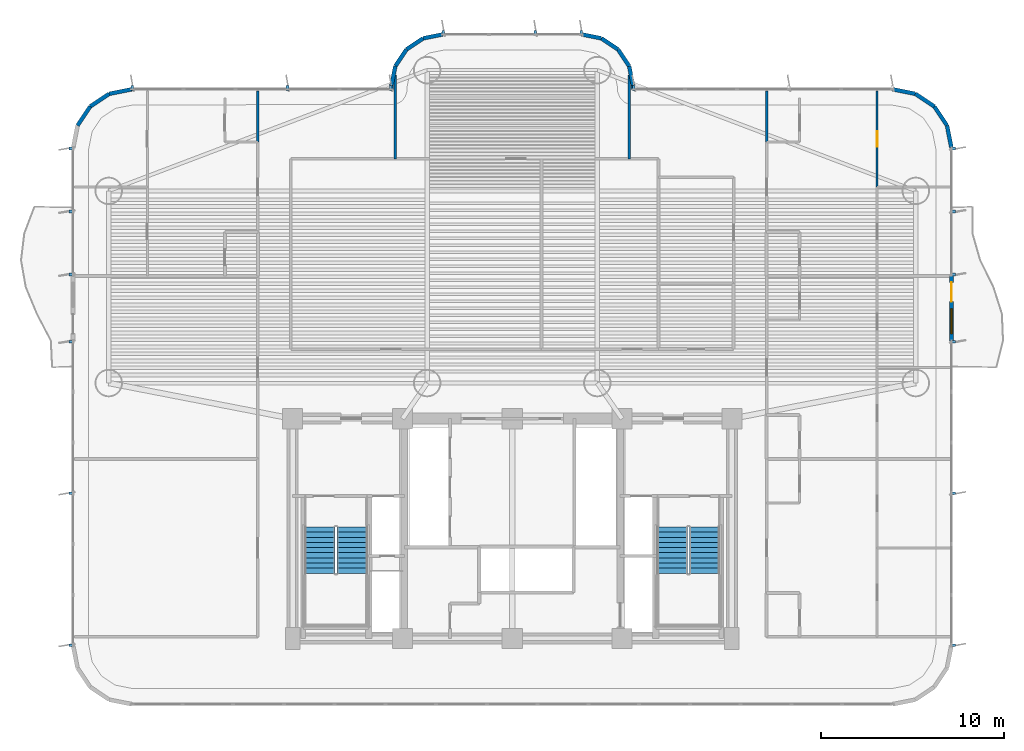
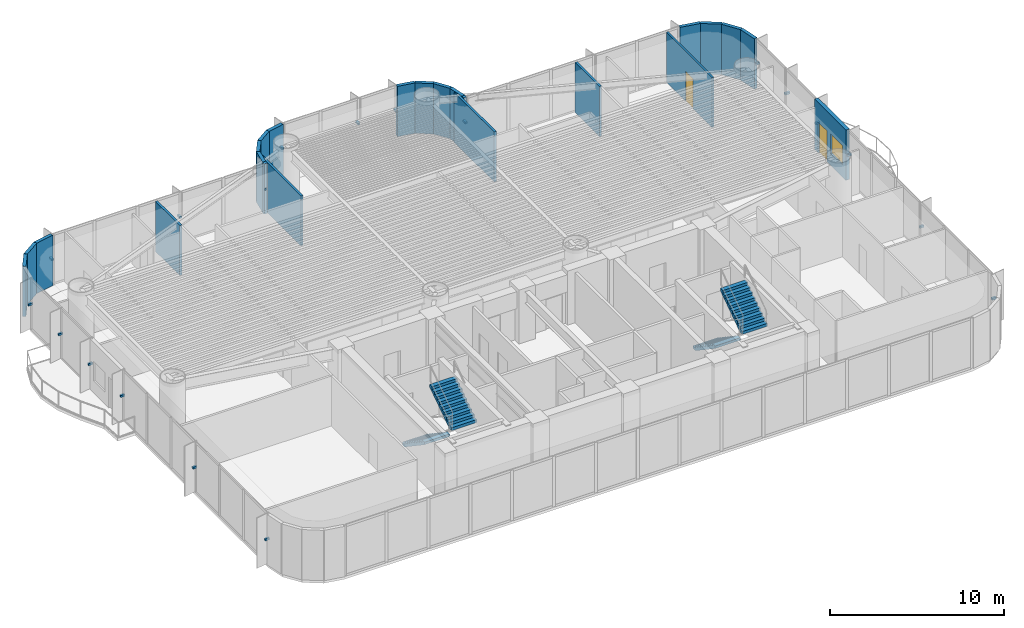
# One storey, part 13 of 18: 23 walls, 19 discrete accessories, 4 stair flights, 2 doors, 1 window, 3 openings, 2 elements without a shape of their own.
"""IFC4 building model written with IfcOpenShell, lengths in metres."""

from ifc_helpers import new_model, si_unit, direction, frame, frame_2d, origin, origin_2d, place, context, subcontext, project, spatial, polyline, rectangle, outline, extrude, source, transform, mapped, material, layer, layer_set, type_object, element, fill, aggregate, save


model = new_model("IFC4")

# Units and contexts
model_context = context("Model", 3, precision=1e-05, world=origin(), true_north=direction((0.0, 1.0)))
body_context = subcontext(model_context, "Body", "Model", "MODEL_VIEW")
ifc_project = project(units=[si_unit("LENGTHUNIT", "METRE"), si_unit("AREAUNIT", "SQUARE_METRE"), si_unit("VOLUMEUNIT", "CUBIC_METRE"), si_unit("PLANEANGLEUNIT", "RADIAN"), si_unit("MASSUNIT", "GRAM", prefix="KILO")], contexts=[model_context])

# Site, building, storey
site_placement = place(None, origin())
site = spatial("IfcSite", under=ifc_project, at=site_placement, CompositionType="ELEMENT")
building_placement = place(site_placement, origin())
building = spatial("IfcBuilding", under=site, at=building_placement, Name="Brelvock Crest Care Tower", CompositionType="ELEMENT")
storey_placement = place(building_placement, frame((0.0, 0.0, 72.360107421875)))
storey = spatial("IfcBuildingStorey", under=building, at=storey_placement, Name="L18", CompositionType="ELEMENT", Elevation=72.360107421875)

# Wall, openings, door, window
ifc_material_1 = material(Name="Precast concrete N40 (40 MPa)", Category="concrete")
ifc_layer_1 = layer(ifc_material_1, 0.239990234375, Name="WL-EX1")
ifc_layer_set_1 = layer_set([ifc_layer_1], Name="Precast concrete N40 (40 MPa)")
wall_type_1 = type_object("IfcWallType", Name="WL-EX1", PredefinedType="SOLIDWALL", material=ifc_layer_set_1)
wall_1_placement = place(storey_placement, frame((60.0, 25.85009765625, 0.0), z_axis=(0.0, 0.0, 1.0), x_axis=(0.0, -1.0, 0.0)))
wall_1 = element("IfcWall", 1, at=wall_1_placement, inside=storey, type_object=wall_type_1, Name="L18 Exterior Spandrel Wall WL-BAL-L18-E", PredefinedType="SOLIDWALL", context=body_context, shape_type="SweptSolid", body=[
    extrude(rectangle(XDim=3.60009765625, YDim=0.239990234375, at=frame_2d((1.800048828125, 0.0))), origin(), (0.0, 0.0, 1.0), 3.52978515625),
])
opening_1_placement = place(wall_1_placement, frame((0.39990234375, 0.0, 0.0)))
opening_1 = element("IfcOpeningElement", 2, at=opening_1_placement, cuts=wall_1, Name="Opening BD-1", PredefinedType="OPENING", context=body_context, shape_type="SweptSolid", body=[
    extrude(rectangle(XDim=1.050048828125, YDim=2.14990234375, at=origin_2d()), frame((0.52490234375, 0.1298828125, 1.074951171875), z_axis=(0.0, -1.0, 0.0), x_axis=(1.0, 0.0, 0.0)), (0.0, 0.0, 1.0), 0.260009765625),
])
opening_2_placement = place(wall_1_placement, frame((1.85009765625, 0.0, 0.85009765625)))
opening_2 = element("IfcOpeningElement", 3, at=opening_2_placement, cuts=wall_1, Name="Opening W-01", PredefinedType="OPENING", context=body_context, shape_type="SweptSolid", body=[
    extrude(rectangle(XDim=1.35009765625, YDim=1.35009765625, at=origin_2d()), frame((0.675048828125, 0.1298828125, 0.675048828125), z_axis=(0.0, -1.0, 0.0), x_axis=(1.0, 0.0, 0.0)), (0.0, 0.0, 1.0), 0.260009765625),
])
ifc_material_2 = material(Name="Dark Glass Double Glazed Low-E", Category="glass")
door_type_1 = type_object("IfcDoorType", Name="DR-BAL1", OperationType="NOTDEFINED", PredefinedType="DOOR", material=ifc_material_2)
shared_shape_1 = source(origin(), body_context, "Body", "SweptSolid", [
    extrude(rectangle(XDim=1.050048828125, YDim=2.14990234375, at=origin_2d()), frame((0.52490234375, 0.02490234375, 1.074951171875), z_axis=(0.0, -1.0, 0.0), x_axis=(1.0, 0.0, 0.0)), (0.0, 0.0, 1.0), 0.050048828125),
])
door_1_placement = place(opening_1_placement, origin())
door_1 = element("IfcDoor", 4, at=door_1_placement, inside=storey, type_object=door_type_1, Name="L18 E Wave Balcony Glazed Door", OperationType="SINGLE_SWING_RIGHT", OverallHeight=2.14990234375, OverallWidth=1.050048828125, PredefinedType="DOOR", context=body_context, shape_type="MappedRepresentation", body=[
    mapped(shared_shape_1, transform((0.0, 0.0, 0.0), x_axis=(1.0, 0.0, 0.0), y_axis=(0.0, 1.0, 0.0), z_axis=(0.0, 0.0, 1.0), scale=1.0)),
])
fill(opening_1, door_1)
window_type = type_object("IfcWindowType", Name="WN-EX1", PartitioningType="SINGLE_PANEL", PredefinedType="WINDOW", material=ifc_material_2)
shared_shape_2 = source(origin(), body_context, "Body", "SweptSolid", [
    extrude(rectangle(XDim=1.35009765625, YDim=1.35009765625, at=origin_2d()), frame((0.675048828125, 0.030029296875, 0.675048828125), z_axis=(0.0, -1.0, 0.0), x_axis=(1.0, 0.0, 0.0)), (0.0, 0.0, 1.0), 0.06005859375),
])
window_placement = place(opening_2_placement, origin())
window = element("IfcWindow", 5, at=window_placement, inside=storey, type_object=window_type, Name="L18 E Suite Casement Window", OverallHeight=1.35009765625, OverallWidth=1.35009765625, PartitioningType="SINGLE_PANEL", PredefinedType="WINDOW", context=body_context, shape_type="MappedRepresentation", body=[
    mapped(shared_shape_2, transform((0.0, 0.0, 0.0), x_axis=(1.0, 0.0, 0.0), y_axis=(0.0, 1.0, 0.0), z_axis=(0.0, 0.0, 1.0), scale=1.0)),
])
fill(opening_2, window)

# Walls
ifc_layer_2 = layer(ifc_material_1, 0.215087890625, Name="WL-EX2")
ifc_layer_set_2 = layer_set([ifc_layer_2], Name="Precast concrete N40 (40 MPa)")
wall_type_2 = type_object("IfcWallType", Name="WL-EX2", PredefinedType="SOLIDWALL", material=ifc_layer_set_2)
for number, where, z_axis, x_axis, name in (
    (6, (58.024658203125, 35.75634765625, 0.0), (0.0, 0.0, 1.0), (0.831478245117, -0.555557312883, 0.0), "L18 Rounded Corner Wall 00"),
    (7, (59.062744140625, 35.062744140625, 0.0), (0.0, 0.0, 1.0), (0.555557312883, -0.831478245117, 0.0), "L18 Rounded Corner Wall 01"),
    (8, (59.75634765625, 34.024658203125, 0.0), (0.0, 0.0, 1.0), (0.195138390419, -0.980775717779, 0.0), "L18 Rounded Corner Wall 02"),
    (9, (12.24365234375, 34.024658203125, 0.0), (0.0, 0.0, 1.0), (0.555557312883, 0.831478245117, 0.0), "L18 Rounded Corner Wall 15"),
    (10, (12.937255859375, 35.062744140625, 0.0), (0.0, 0.0, 1.0), (0.831478245117, 0.555557312883, 0.0), "L18 Rounded Corner Wall 16"),
    (11, (13.975341796875, 35.75634765625, 0.0), (0.0, 0.0, 1.0), (0.980775717779, 0.195138390419, 0.0), "L18 Rounded Corner Wall 17"),
):
    element("IfcWall", number, at=place(storey_placement, frame(where, z_axis=z_axis, x_axis=x_axis)), inside=storey, type_object=wall_type_2, Name=name, PredefinedType="SOLIDWALL", context=body_context, shape_type="SweptSolid", body=[
        extrude(rectangle(XDim=1.24853515625, YDim=0.215087890625, at=frame_2d((0.624267578125, 0.0))), origin(), (0.0, 0.0, 1.0), 3.52978515625),
    ])
wall_2_placement = place(storey_placement, frame((29.39990234375, 36.0, 0.0), z_axis=(0.0, 0.0, 1.0), x_axis=(0.0, 1.0, 0.0)))
element("IfcWall", 12, at=wall_2_placement, inside=storey, type_object=wall_type_2, Name="L18 Rounded Corner Wall 19", PredefinedType="SOLIDWALL", context=body_context, shape_type="SweptSolid", body=[
    extrude(rectangle(XDim=0.199951171875, YDim=0.215087890625, at=frame_2d((0.10009765625, 0.0))), origin(), (0.0, 0.0, 1.0), 3.52978515625),
])
wall_3_placement = place(storey_placement, frame((29.39990234375, 36.199951171875, 0.0), z_axis=(0.0, 0.0, 1.0), x_axis=(0.195084651288, 0.980786408364, 0.0)))
element("IfcWall", 13, at=wall_3_placement, inside=storey, type_object=wall_type_2, Name="L18 Rounded Corner Wall 20", PredefinedType="SOLIDWALL", context=body_context, shape_type="SweptSolid", body=[
    extrude(rectangle(XDim=1.092529296875, YDim=0.215087890625, at=frame_2d((0.54638671875, 0.0))), origin(), (0.0, 0.0, 1.0), 3.52978515625),
])
wall_4_placement = place(storey_placement, frame((29.613037109375, 37.271484375, 0.0), z_axis=(0.0, 0.0, 1.0), x_axis=(0.555679482341, 0.831396603857, 0.0)))
element("IfcWall", 14, at=wall_4_placement, inside=storey, type_object=wall_type_2, Name="L18 Rounded Corner Wall 21", PredefinedType="SOLIDWALL", context=body_context, shape_type="SweptSolid", body=[
    extrude(rectangle(XDim=1.0927734375, YDim=0.215087890625, at=frame_2d((0.54638671875, 0.0))), origin(), (0.0, 0.0, 1.0), 3.52978515625),
])
wall_5_placement = place(storey_placement, frame((30.22021484375, 38.179931640625, 0.0), z_axis=(0.0, 0.0, 1.0), x_axis=(0.831430845238, 0.555628247651, 0.0)))
element("IfcWall", 15, at=wall_5_placement, inside=storey, type_object=wall_type_2, Name="L18 Rounded Corner Wall 22", PredefinedType="SOLIDWALL", context=body_context, shape_type="SweptSolid", body=[
    extrude(rectangle(XDim=1.09228515625, YDim=0.215087890625, at=frame_2d((0.546142578125, 0.0))), origin(), (0.0, 0.0, 1.0), 3.52978515625),
])
for number, where, z_axis, x_axis, name in (
    (16, (31.12841796875, 38.786865234375, 0.0), (0.0, 0.0, 1.0), (0.980786408364, 0.195084651288, 0.0), "L18 Rounded Corner Wall 23"),
    (17, (39.800048828125, 39.0, 0.0), (0.0, 0.0, 1.0), (0.980786408364, -0.195084651288, 0.0), "L18 Rounded Corner Wall 25"),
):
    element("IfcWall", number, at=place(storey_placement, frame(where, z_axis=z_axis, x_axis=x_axis)), inside=storey, type_object=wall_type_2, Name=name, PredefinedType="SOLIDWALL", context=body_context, shape_type="SweptSolid", body=[
        extrude(rectangle(XDim=1.092529296875, YDim=0.215087890625, at=frame_2d((0.54638671875, 0.0))), origin(), (0.0, 0.0, 1.0), 3.52978515625),
    ])
wall_6_placement = place(storey_placement, frame((40.87158203125, 38.786865234375, 0.0), z_axis=(0.0, 0.0, 1.0), x_axis=(0.831430845238, -0.555628247651, 0.0)))
element("IfcWall", 18, at=wall_6_placement, inside=storey, type_object=wall_type_2, Name="L18 Rounded Corner Wall 26", PredefinedType="SOLIDWALL", context=body_context, shape_type="SweptSolid", body=[
    extrude(rectangle(XDim=1.09228515625, YDim=0.215087890625, at=frame_2d((0.546142578125, 0.0))), origin(), (0.0, 0.0, 1.0), 3.52978515625),
])
wall_7_placement = place(storey_placement, frame((41.77978515625, 38.179931640625, 0.0), z_axis=(0.0, 0.0, 1.0), x_axis=(0.555679482341, -0.831396603857, 0.0)))
element("IfcWall", 19, at=wall_7_placement, inside=storey, type_object=wall_type_2, Name="L18 Rounded Corner Wall 27", PredefinedType="SOLIDWALL", context=body_context, shape_type="SweptSolid", body=[
    extrude(rectangle(XDim=1.0927734375, YDim=0.215087890625, at=frame_2d((0.54638671875, 0.0))), origin(), (0.0, 0.0, 1.0), 3.52978515625),
])
wall_8_placement = place(storey_placement, frame((42.386962890625, 37.271484375, 0.0), z_axis=(0.0, 0.0, 1.0), x_axis=(0.195084651288, -0.980786408364, 0.0)))
element("IfcWall", 20, at=wall_8_placement, inside=storey, type_object=wall_type_2, Name="L18 Rounded Corner Wall 28", PredefinedType="SOLIDWALL", context=body_context, shape_type="SweptSolid", body=[
    extrude(rectangle(XDim=1.092529296875, YDim=0.215087890625, at=frame_2d((0.54638671875, 0.0))), origin(), (0.0, 0.0, 1.0), 3.52978515625),
])
wall_9_placement = place(storey_placement, frame((42.60009765625, 36.199951171875, 0.0), z_axis=(0.0, 0.0, 1.0), x_axis=(0.0, -1.0, 0.0)))
element("IfcWall", 21, at=wall_9_placement, inside=storey, type_object=wall_type_2, Name="L18 Rounded Corner Wall 29", PredefinedType="SOLIDWALL", context=body_context, shape_type="SweptSolid", body=[
    extrude(rectangle(XDim=0.199951171875, YDim=0.215087890625, at=frame_2d((0.10009765625, 0.0))), origin(), (0.0, 0.0, 1.0), 3.52978515625),
])
wall_10_placement = place(storey_placement, frame((56.800048828125, 36.0, 0.0), z_axis=(0.0, 0.0, 1.0), x_axis=(0.980775717779, -0.195138390419, 0.0)))
element("IfcWall", 22, at=wall_10_placement, inside=storey, type_object=wall_type_2, Name="L18 Rounded Corner Wall 31", PredefinedType="SOLIDWALL", context=body_context, shape_type="SweptSolid", body=[
    extrude(rectangle(XDim=1.24853515625, YDim=0.215087890625, at=frame_2d((0.624267578125, 0.0))), origin(), (0.0, 0.0, 1.0), 3.52978515625),
])
ifc_material_3 = material(Name="Masonry Blockwork Acoustic Partition", Category="masonry")
ifc_layer_3 = layer(ifc_material_3, 0.14990234375, Name="WL-INT1")
ifc_layer_set_3 = layer_set([ifc_layer_3], Name="Masonry Blockwork Acoustic Partition")
wall_type_3 = type_object("IfcWallType", Name="WL-INT1", PredefinedType="PARTITIONING", material=ifc_layer_set_3)
wall_11_placement = place(storey_placement, frame((22.10009765625, 33.1201171875, 0.0), z_axis=(0.0, 0.0, 1.0), x_axis=(0.0, 1.0, 0.0)))
element("IfcWall", 23, at=wall_11_placement, inside=storey, type_object=wall_type_3, Name="L18 Interior Wall WL-UCK-L18-WW3", PredefinedType="PARTITIONING", context=body_context, shape_type="SweptSolid", body=[
    extrude(rectangle(XDim=2.800537109375, YDim=0.14990234375, at=frame_2d((1.400390625, 0.0))), origin(), (0.0, 0.0, 1.0), 3.5),
])
for number, where, z_axis, x_axis, name in (
    (24, (29.60009765625, 32.199951171875, 0.0), (0.0, 0.0, 1.0), (0.0, 1.0, 0.0), "L18 Interior Wall WL-BX-L18-NHUB-W"),
    (25, (42.39990234375, 32.199951171875, 0.0), (0.0, 0.0, 1.0), (0.0, 1.0, 0.0), "L18 Interior Wall WL-BX-L18-NHUB-E"),
):
    element("IfcWall", number, at=place(storey_placement, frame(where, z_axis=z_axis, x_axis=x_axis)), inside=storey, type_object=wall_type_3, Name=name, PredefinedType="PARTITIONING", context=body_context, shape_type="SweptSolid", body=[
        extrude(rectangle(XDim=4.595458984375, YDim=0.14990234375, at=frame_2d((2.2978515625, 0.0))), origin(), (0.0, 0.0, 1.0), 3.5),
    ])
wall_12_placement = place(storey_placement, frame((49.89990234375, 33.1201171875, 0.0), z_axis=(0.0, 0.0, 1.0), x_axis=(0.0, 1.0, 0.0)))
element("IfcWall", 26, at=wall_12_placement, inside=storey, type_object=wall_type_3, Name="L18 Interior Wall WL-UCK-L18-EW3", PredefinedType="PARTITIONING", context=body_context, shape_type="SweptSolid", body=[
    extrude(rectangle(XDim=2.800048828125, YDim=0.14990234375, at=frame_2d((1.39990234375, 0.0))), origin(), (0.0, 0.0, 1.0), 3.5),
])

# Wall, opening, door
ifc_material_4 = material(Name="Gypsum Plasterboard Partition", Category="gypsum")
ifc_layer_4 = layer(ifc_material_4, 0.1201171875, Name="WL-INT2")
ifc_layer_set_4 = layer_set([ifc_layer_4], Name="Gypsum Plasterboard Partition")
wall_type_4 = type_object("IfcWallType", Name="WL-INT2", PredefinedType="PARTITIONING", material=ifc_layer_set_4)
wall_13_placement = place(storey_placement, frame((55.93603515625, 30.659912109375, 0.0), z_axis=(0.0, 0.0, 1.0), x_axis=(0.0, 1.0, 0.0)))
wall_13 = element("IfcWall", 27, at=wall_13_placement, inside=storey, type_object=wall_type_4, Name="L18 Interior Wall WL-UBD2-L18-EW3", PredefinedType="PARTITIONING", context=body_context, shape_type="SweptSolid", body=[
    extrude(rectangle(XDim=5.260009765625, YDim=0.1201171875, at=frame_2d((2.6298828125, 0.0))), origin(), (0.0, 0.0, 1.0), 3.5),
])
opening_3_placement = place(wall_13_placement, frame((2.199951171875, 0.0, 0.0)))
opening_3 = element("IfcOpeningElement", 28, at=opening_3_placement, cuts=wall_13, Name="Opening ID-1", PredefinedType="OPENING", context=body_context, shape_type="SweptSolid", body=[
    extrude(rectangle(XDim=0.860107421875, YDim=2.10009765625, at=origin_2d()), frame((0.43017578125, 0.070068359375, 1.050048828125), z_axis=(0.0, -1.0, 0.0), x_axis=(1.0, 0.0, 0.0)), (0.0, 0.0, 1.0), 0.14013671875),
])
ifc_material_5 = material(Name="Engineered Hardwood Timber", Category="wood")
door_type_2 = type_object("IfcDoorType", Name="DR-INT1", OperationType="NOTDEFINED", PredefinedType="DOOR", material=ifc_material_5)
shared_shape_3 = source(origin(), body_context, "Body", "SweptSolid", [
    extrude(rectangle(XDim=0.860107421875, YDim=2.10009765625, at=origin_2d()), frame((0.43017578125, 0.02490234375, 1.050048828125), z_axis=(0.0, -1.0, 0.0), x_axis=(1.0, 0.0, 0.0)), (0.0, 0.0, 1.0), 0.050048828125),
])
door_2_placement = place(opening_3_placement, origin())
door_2 = element("IfcDoor", 29, at=door_2_placement, inside=storey, type_object=door_type_2, Name="L18 Second Room Door EW3", OperationType="SINGLE_SWING_LEFT", OverallHeight=2.10009765625, OverallWidth=0.860107421875, PredefinedType="DOOR", context=body_context, shape_type="MappedRepresentation", body=[
    mapped(shared_shape_3, transform((0.0, 0.0, 0.0), x_axis=(1.0, 0.0, 0.0), y_axis=(0.0, 1.0, 0.0), z_axis=(0.0, 0.0, 1.0), scale=1.0)),
])
fill(opening_3, door_2)

# Stair, stair flights
ifc_material_6 = material(Name="Concrete N40 (40 MPa)", Category="concrete")
stair_type = type_object("IfcStairType", Name="ST-CORE1", PredefinedType="HALF_TURN_STAIR", material=ifc_material_6)
stair_1_placement = place(storey_placement, origin())
stair_1 = element("IfcStair", 30, at=stair_1_placement, inside=storey, type_object=stair_type, Name="L18 Fire-Isolated Core Stair ST-1", PredefinedType="HALF_TURN_STAIR")
stair_flight_type = type_object("IfcStairFlightType", Name="STF-1", PredefinedType="STRAIGHT", material=ifc_material_6)
stair_flight_1_placement = place(storey_placement, frame((25.469970703125, 12.080078125, 0.0), z_axis=(0.0, 0.0, 1.0), x_axis=(0.0, -1.0, 0.0)))
stair_flight_1 = element("IfcStairFlight", 31, at=stair_flight_1_placement, type_object=stair_flight_type, Name="ST-1 flight 1", NumberOfRisers=10, NumberOfTreads=9, PredefinedType="STRAIGHT", RiserHeight=0.189, TreadLength=0.28, context=body_context, shape_type="SweptSolid", body=[
    extrude(outline(polyline([(-0.00390625, -0.014892578125), (-0.00390625, -0.0078125), (-0.00390625, -0.00048828125), (-0.00390625, 0.0068359375), (-0.00390625, 0.01416015625), (-0.00390625, 0.021484375), (-0.00390625, 0.02880859375), (-0.00390625, 0.035888671875), (-0.00390625, 0.043212890625), (-0.00390625, 0.050537109375), (-0.00390625, 0.057861328125), (-0.00390625, 0.065185546875), (-0.00390625, 0.072509765625), (-0.00390625, 0.07958984375), (-0.00390625, 0.0869140625), (-0.00390625, 0.09423828125), (-0.00390625, 0.1015625), (-0.00390625, 0.10888671875), (-0.00390625, 0.1162109375), (-0.00390625, 0.12353515625), (-0.00390625, 0.130615234375), (-0.00390625, 0.137939453125), (-0.00390625, 0.145263671875), (-0.00390625, 0.152587890625), (-0.00390625, 0.159912109375), (-0.00390625, 0.167236328125), (-0.00390625, 0.17431640625), (-0.00390625, 0.181640625), (-0.00390625, 0.18896484375), (0.0, 0.18896484375), (0.280029296875, 0.18896484375), (0.280029296875, 0.3779296875), (0.56005859375, 0.3779296875), (0.56005859375, 0.56689453125), (0.840087890625, 0.56689453125), (0.840087890625, 0.756103515625), (1.1201171875, 0.756103515625), (1.1201171875, 0.945068359375), (1.39990234375, 0.945068359375), (1.39990234375, 1.134033203125), (1.679931640625, 1.134033203125), (1.679931640625, 1.322998046875), (1.9599609375, 1.322998046875), (1.9599609375, 1.511962890625), (2.239990234375, 1.511962890625), (2.239990234375, 1.700927734375), (2.52001953125, 1.700927734375), (2.52392578125, 1.700927734375), (2.523681640625, 1.70068359375), (2.52392578125, 1.700439453125), (2.523681640625, 1.699951171875), (2.52392578125, 1.69970703125), (2.523681640625, 1.699462890625), (2.52392578125, 1.698974609375), (2.523681640625, 1.69873046875), (2.52392578125, 1.698486328125), (2.523681640625, 1.697998046875), (2.52392578125, 1.69775390625), (2.523681640625, 1.697509765625), (2.52392578125, 1.697021484375), (2.523681640625, 1.69677734375), (2.52392578125, 1.696533203125), (2.523681640625, 1.6962890625), (2.52392578125, 1.69580078125), (2.523681640625, 1.695556640625), (2.52392578125, 1.6953125), (2.523681640625, 1.69482421875), (2.52392578125, 1.694580078125), (2.523681640625, 1.6943359375), (2.52392578125, 1.69384765625), (2.523681640625, 1.693603515625), (2.52392578125, 1.693359375), (2.523681640625, 1.69287109375), (2.52392578125, 1.692626953125), (2.523681640625, 1.6923828125), (2.52392578125, 1.69189453125), (2.52001953125, 1.520263671875), (0.267822265625, 0.0), (0.0, 0.0), (0.0, -0.014892578125), (-0.00390625, -0.014892578125)])), frame((0.0, 0.83984375, 0.0), z_axis=(0.0, -1.0, 0.0), x_axis=(1.0, 0.0, 0.0)), (0.0, 0.0, 1.0), 1.679931640625),
])
stair_flight_2_placement = place(storey_placement, frame((27.27001953125, 9.56005859375, 1.889892578125), z_axis=(0.0, 0.0, 1.0), x_axis=(0.0, 1.0, 0.0)))
stair_flight_2 = element("IfcStairFlight", 32, at=stair_flight_2_placement, type_object=stair_flight_type, Name="ST-1 flight 2", NumberOfRisers=10, NumberOfTreads=9, PredefinedType="STRAIGHT", RiserHeight=0.189, TreadLength=0.28, context=body_context, shape_type="SweptSolid", body=[
    extrude(outline(polyline([(-0.00390625, -0.014892578125), (-0.00390625, -0.0078125), (-0.00390625, -0.00048828125), (-0.00390625, 0.0068359375), (-0.00390625, 0.01416015625), (-0.00390625, 0.021484375), (-0.00390625, 0.02880859375), (-0.00390625, 0.035888671875), (-0.00390625, 0.043212890625), (-0.00390625, 0.050537109375), (-0.00390625, 0.057861328125), (-0.00390625, 0.065185546875), (-0.00390625, 0.072509765625), (-0.00390625, 0.07958984375), (-0.00390625, 0.0869140625), (-0.00390625, 0.09423828125), (-0.00390625, 0.1015625), (-0.00390625, 0.10888671875), (-0.00390625, 0.1162109375), (-0.00390625, 0.12353515625), (-0.00390625, 0.130615234375), (-0.00390625, 0.137939453125), (-0.00390625, 0.145263671875), (-0.00390625, 0.152587890625), (-0.00390625, 0.159912109375), (-0.00390625, 0.167236328125), (-0.00390625, 0.17431640625), (-0.00390625, 0.181640625), (-0.00390625, 0.18896484375), (0.0, 0.18896484375), (0.280029296875, 0.18896484375), (0.280029296875, 0.3779296875), (0.56005859375, 0.3779296875), (0.56005859375, 0.56689453125), (0.840087890625, 0.56689453125), (0.840087890625, 0.756103515625), (1.1201171875, 0.756103515625), (1.1201171875, 0.945068359375), (1.39990234375, 0.945068359375), (1.39990234375, 1.134033203125), (1.679931640625, 1.134033203125), (1.679931640625, 1.322998046875), (1.9599609375, 1.322998046875), (1.9599609375, 1.511962890625), (2.239990234375, 1.511962890625), (2.239990234375, 1.700927734375), (2.52001953125, 1.700927734375), (2.52392578125, 1.700927734375), (2.523681640625, 1.70068359375), (2.52392578125, 1.700439453125), (2.523681640625, 1.699951171875), (2.52392578125, 1.69970703125), (2.523681640625, 1.699462890625), (2.52392578125, 1.698974609375), (2.523681640625, 1.69873046875), (2.52392578125, 1.698486328125), (2.523681640625, 1.697998046875), (2.52392578125, 1.69775390625), (2.523681640625, 1.697509765625), (2.52392578125, 1.697021484375), (2.523681640625, 1.69677734375), (2.52392578125, 1.696533203125), (2.523681640625, 1.6962890625), (2.52392578125, 1.69580078125), (2.523681640625, 1.695556640625), (2.52392578125, 1.6953125), (2.523681640625, 1.69482421875), (2.52392578125, 1.694580078125), (2.523681640625, 1.6943359375), (2.52392578125, 1.69384765625), (2.523681640625, 1.693603515625), (2.52392578125, 1.693359375), (2.523681640625, 1.69287109375), (2.52392578125, 1.692626953125), (2.523681640625, 1.6923828125), (2.52392578125, 1.69189453125), (2.52001953125, 1.520263671875), (0.267822265625, 0.0), (0.0, 0.0), (0.0, -0.014892578125), (-0.00390625, -0.014892578125)])), frame((0.0, 0.83984375, 0.0), z_axis=(0.0, -1.0, 0.0), x_axis=(1.0, 0.0, 0.0)), (0.0, 0.0, 1.0), 1.679931640625),
])
aggregate(stair_1, [stair_flight_1, stair_flight_2])

stair_2_placement = place(storey_placement, origin())
stair_2 = element("IfcStair", 33, at=stair_2_placement, inside=storey, type_object=stair_type, Name="L18 Fire-Isolated Core Stair ST-2", PredefinedType="HALF_TURN_STAIR")
stair_flight_3_placement = place(storey_placement, frame((44.72998046875, 12.080078125, 0.0), z_axis=(0.0, 0.0, 1.0), x_axis=(0.0, -1.0, 0.0)))
stair_flight_3 = element("IfcStairFlight", 34, at=stair_flight_3_placement, type_object=stair_flight_type, Name="ST-2 flight 1", NumberOfRisers=10, NumberOfTreads=9, PredefinedType="STRAIGHT", RiserHeight=0.189, TreadLength=0.28, context=body_context, shape_type="SweptSolid", body=[
    extrude(outline(polyline([(-0.00390625, -0.014892578125), (-0.00390625, -0.0078125), (-0.00390625, -0.00048828125), (-0.00390625, 0.0068359375), (-0.00390625, 0.01416015625), (-0.00390625, 0.021484375), (-0.00390625, 0.02880859375), (-0.00390625, 0.035888671875), (-0.00390625, 0.043212890625), (-0.00390625, 0.050537109375), (-0.00390625, 0.057861328125), (-0.00390625, 0.065185546875), (-0.00390625, 0.072509765625), (-0.00390625, 0.07958984375), (-0.00390625, 0.0869140625), (-0.00390625, 0.09423828125), (-0.00390625, 0.1015625), (-0.00390625, 0.10888671875), (-0.00390625, 0.1162109375), (-0.00390625, 0.12353515625), (-0.00390625, 0.130615234375), (-0.00390625, 0.137939453125), (-0.00390625, 0.145263671875), (-0.00390625, 0.152587890625), (-0.00390625, 0.159912109375), (-0.00390625, 0.167236328125), (-0.00390625, 0.17431640625), (-0.00390625, 0.181640625), (-0.00390625, 0.18896484375), (0.0, 0.18896484375), (0.280029296875, 0.18896484375), (0.280029296875, 0.3779296875), (0.56005859375, 0.3779296875), (0.56005859375, 0.56689453125), (0.840087890625, 0.56689453125), (0.840087890625, 0.756103515625), (1.1201171875, 0.756103515625), (1.1201171875, 0.945068359375), (1.39990234375, 0.945068359375), (1.39990234375, 1.134033203125), (1.679931640625, 1.134033203125), (1.679931640625, 1.322998046875), (1.9599609375, 1.322998046875), (1.9599609375, 1.511962890625), (2.239990234375, 1.511962890625), (2.239990234375, 1.700927734375), (2.52001953125, 1.700927734375), (2.52392578125, 1.700927734375), (2.523681640625, 1.70068359375), (2.52392578125, 1.700439453125), (2.523681640625, 1.699951171875), (2.52392578125, 1.69970703125), (2.523681640625, 1.699462890625), (2.52392578125, 1.698974609375), (2.523681640625, 1.69873046875), (2.52392578125, 1.698486328125), (2.523681640625, 1.697998046875), (2.52392578125, 1.69775390625), (2.523681640625, 1.697509765625), (2.52392578125, 1.697021484375), (2.523681640625, 1.69677734375), (2.52392578125, 1.696533203125), (2.523681640625, 1.6962890625), (2.52392578125, 1.69580078125), (2.523681640625, 1.695556640625), (2.52392578125, 1.6953125), (2.523681640625, 1.69482421875), (2.52392578125, 1.694580078125), (2.523681640625, 1.6943359375), (2.52392578125, 1.69384765625), (2.523681640625, 1.693603515625), (2.52392578125, 1.693359375), (2.523681640625, 1.69287109375), (2.52392578125, 1.692626953125), (2.523681640625, 1.6923828125), (2.52392578125, 1.69189453125), (2.52001953125, 1.520263671875), (0.267822265625, 0.0), (0.0, 0.0), (0.0, -0.014892578125), (-0.00390625, -0.014892578125)])), frame((0.0, 0.83984375, 0.0), z_axis=(0.0, -1.0, 0.0), x_axis=(1.0, 0.0, 0.0)), (0.0, 0.0, 1.0), 1.679931640625),
])
stair_flight_4_placement = place(storey_placement, frame((46.530029296875, 9.56005859375, 1.889892578125), z_axis=(0.0, 0.0, 1.0), x_axis=(0.0, 1.0, 0.0)))
stair_flight_4 = element("IfcStairFlight", 35, at=stair_flight_4_placement, type_object=stair_flight_type, Name="ST-2 flight 2", NumberOfRisers=10, NumberOfTreads=9, PredefinedType="STRAIGHT", RiserHeight=0.189, TreadLength=0.28, context=body_context, shape_type="SweptSolid", body=[
    extrude(outline(polyline([(-0.00390625, -0.014892578125), (-0.00390625, -0.0078125), (-0.00390625, -0.00048828125), (-0.00390625, 0.0068359375), (-0.00390625, 0.01416015625), (-0.00390625, 0.021484375), (-0.00390625, 0.02880859375), (-0.00390625, 0.035888671875), (-0.00390625, 0.043212890625), (-0.00390625, 0.050537109375), (-0.00390625, 0.057861328125), (-0.00390625, 0.065185546875), (-0.00390625, 0.072509765625), (-0.00390625, 0.07958984375), (-0.00390625, 0.0869140625), (-0.00390625, 0.09423828125), (-0.00390625, 0.1015625), (-0.00390625, 0.10888671875), (-0.00390625, 0.1162109375), (-0.00390625, 0.12353515625), (-0.00390625, 0.130615234375), (-0.00390625, 0.137939453125), (-0.00390625, 0.145263671875), (-0.00390625, 0.152587890625), (-0.00390625, 0.159912109375), (-0.00390625, 0.167236328125), (-0.00390625, 0.17431640625), (-0.00390625, 0.181640625), (-0.00390625, 0.18896484375), (0.0, 0.18896484375), (0.280029296875, 0.18896484375), (0.280029296875, 0.3779296875), (0.56005859375, 0.3779296875), (0.56005859375, 0.56689453125), (0.840087890625, 0.56689453125), (0.840087890625, 0.756103515625), (1.1201171875, 0.756103515625), (1.1201171875, 0.945068359375), (1.39990234375, 0.945068359375), (1.39990234375, 1.134033203125), (1.679931640625, 1.134033203125), (1.679931640625, 1.322998046875), (1.9599609375, 1.322998046875), (1.9599609375, 1.511962890625), (2.239990234375, 1.511962890625), (2.239990234375, 1.700927734375), (2.52001953125, 1.700927734375), (2.52392578125, 1.700927734375), (2.523681640625, 1.70068359375), (2.52392578125, 1.700439453125), (2.523681640625, 1.699951171875), (2.52392578125, 1.69970703125), (2.523681640625, 1.699462890625), (2.52392578125, 1.698974609375), (2.523681640625, 1.69873046875), (2.52392578125, 1.698486328125), (2.523681640625, 1.697998046875), (2.52392578125, 1.69775390625), (2.523681640625, 1.697509765625), (2.52392578125, 1.697021484375), (2.523681640625, 1.69677734375), (2.52392578125, 1.696533203125), (2.523681640625, 1.6962890625), (2.52392578125, 1.69580078125), (2.523681640625, 1.695556640625), (2.52392578125, 1.6953125), (2.523681640625, 1.69482421875), (2.52392578125, 1.694580078125), (2.523681640625, 1.6943359375), (2.52392578125, 1.69384765625), (2.523681640625, 1.693603515625), (2.52392578125, 1.693359375), (2.523681640625, 1.69287109375), (2.52392578125, 1.692626953125), (2.523681640625, 1.6923828125), (2.52392578125, 1.69189453125), (2.52001953125, 1.520263671875), (0.267822265625, 0.0), (0.0, 0.0), (0.0, -0.014892578125), (-0.00390625, -0.014892578125)])), frame((0.0, 0.83984375, 0.0), z_axis=(0.0, -1.0, 0.0), x_axis=(1.0, 0.0, 0.0)), (0.0, 0.0, 1.0), 1.679931640625),
])
aggregate(stair_2, [stair_flight_3, stair_flight_4])

# Discrete accessories
ifc_material_7 = material(Name="Steel Grade 350", Category="steel")
discrete_accessory_type = type_object("IfcDiscreteAccessoryType", Name="ACC-BRK1", PredefinedType="BRACKET", material=ifc_material_7)
shared_shape_4 = source(origin(), body_context, "Body", "SweptSolid", [
    extrude(rectangle(XDim=0.280029296875, YDim=0.139892578125, at=origin_2d()), origin(), (0.0, 0.0, 1.0), 0.139892578125),
])
for number, where, z_axis, x_axis, name in (
    (36, (60.080078125, 32.767578125, 1.69482421875), (0.0, 0.0, 1.0), (1.0, 0.0, 0.0), "L18 Facade Fin Bracket E03A-01"),
    (37, (60.080078125, 29.324951171875, 1.69482421875), (0.0, 0.0, 1.0), (1.0, 0.0, 0.0), "L18 Facade Fin Bracket E03A-02"),
    (38, (60.080078125, 25.882568359375, 1.69482421875), (0.0, 0.0, 1.0), (1.0, 0.0, 0.0), "L18 Facade Fin Bracket E03A-03"),
    (39, (60.080078125, 22.217529296875, 1.69482421875), (0.0, 0.0, 1.0), (1.0, 0.0, 0.0), "L18 Facade Fin Bracket E03B-01"),
    (40, (60.080078125, 13.925048828125, 1.69482421875), (0.0, 0.0, 1.0), (1.0, 0.0, 0.0), "L18 Facade Fin Bracket E03B-04"),
    (41, (60.080078125, 5.632568359375, 1.69482421875), (0.0, 0.0, 1.0), (1.0, 0.0, 0.0), "L18 Facade Fin Bracket E03B-07"),
    (42, (11.919921875, 5.632568359375, 1.69482421875), (0.0, 0.0, 1.0), (-1.0, 0.0, 0.0), "L18 Facade Fin Bracket E13A-01"),
    (43, (11.919921875, 13.925048828125, 1.69482421875), (0.0, 0.0, 1.0), (-1.0, 0.0, 0.0), "L18 Facade Fin Bracket E13A-04"),
    (44, (11.919921875, 22.217529296875, 1.69482421875), (0.0, 0.0, 1.0), (-1.0, 0.0, 0.0), "L18 Facade Fin Bracket E13A-07"),
    (45, (11.919921875, 25.882568359375, 1.69482421875), (0.0, 0.0, 1.0), (-1.0, 0.0, 0.0), "L18 Facade Fin Bracket E13B-01"),
    (46, (11.919921875, 29.324951171875, 1.69482421875), (0.0, 0.0, 1.0), (-1.0, 0.0, 0.0), "L18 Facade Fin Bracket E13B-02"),
    (47, (11.919921875, 32.767578125, 1.69482421875), (0.0, 0.0, 1.0), (-1.0, 0.0, 0.0), "L18 Facade Fin Bracket E13B-03"),
    (48, (15.232421875, 36.080078125, 1.69482421875), (0.0, 0.0, 1.0), (0.0, 1.0, 0.0), "L18 Facade Fin Bracket E18-01"),
    (49, (23.719970703125, 36.080078125, 1.69482421875), (0.0, 0.0, 1.0), (0.0, 1.0, 0.0), "L18 Facade Fin Bracket E18-04"),
    (50, (29.367431640625, 36.080078125, 1.69482421875), (0.0, 0.0, 1.0), (0.0, 1.0, 0.0), "L18 Facade Fin Bracket E18-06"),
    (51, (32.232421875, 39.080078125, 1.69482421875), (0.0, 0.0, 1.0), (0.0, 1.0, 0.0), "L18 Facade Fin Bracket E24-01"),
    (52, (37.2666015625, 39.080078125, 1.69482421875), (0.0, 0.0, 1.0), (0.0, 1.0, 0.0), "L18 Facade Fin Bracket E24-03"),
    (53, (39.767578125, 39.080078125, 1.69482421875), (0.0, 0.0, 1.0), (0.0, 1.0, 0.0), "L18 Facade Fin Bracket E24-04"),
    (54, (42.632568359375, 36.080078125, 1.69482421875), (0.0, 0.0, 1.0), (0.0, 1.0, 0.0), "L18 Facade Fin Bracket E30-01"),
):
    element("IfcDiscreteAccessory", number, at=place(storey_placement, frame(where, z_axis=z_axis, x_axis=x_axis)), inside=storey, type_object=discrete_accessory_type, Name=name, PredefinedType="BRACKET", context=body_context, shape_type="MappedRepresentation", body=[
        mapped(shared_shape_4, transform((0.0, 0.0, 0.0), x_axis=(1.0, 0.0, 0.0), y_axis=(0.0, 1.0, 0.0), z_axis=(0.0, 0.0, 1.0), scale=1.0)),
    ])

save(model, "model.ifc")
